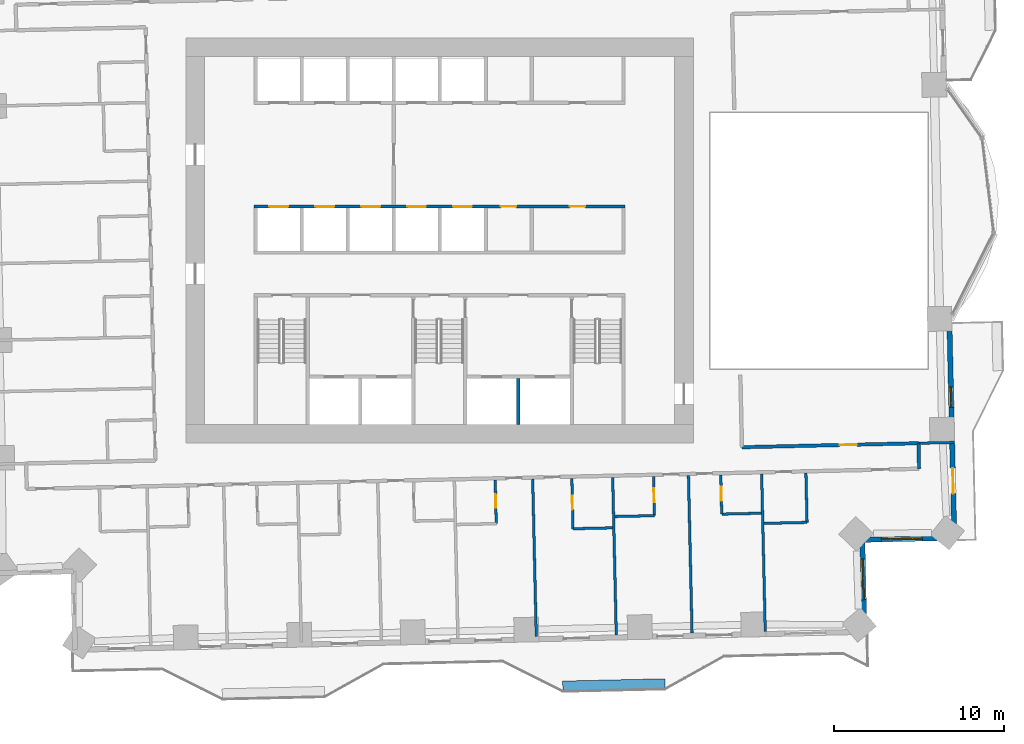
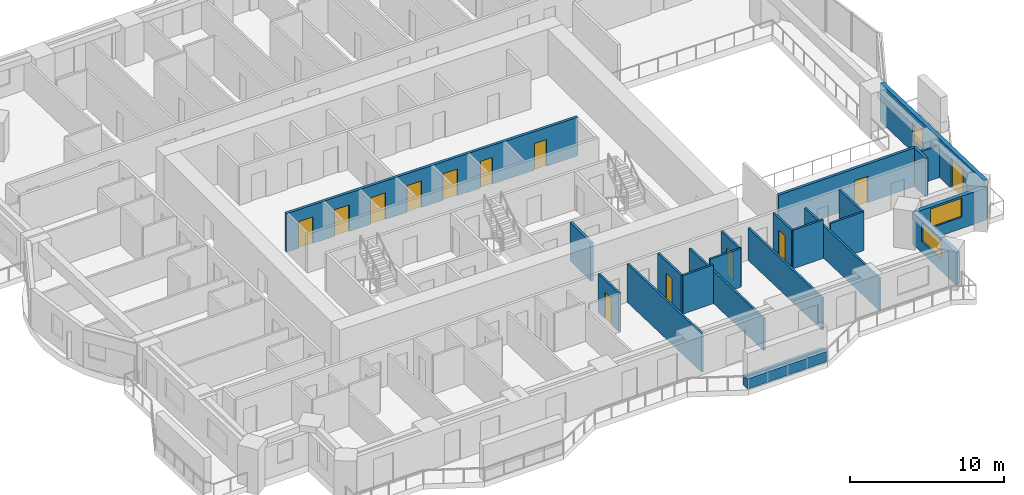
# One storey, part 9 of 17: 22 walls, 13 doors, 3 windows, 16 openings.
"""IFC4 building model written with IfcOpenShell, lengths in metres."""

from ifc_helpers import new_model, si_unit, direction, frame, frame_2d, origin, place, context, subcontext, project, spatial, rectangle, extrude, material, layer, layer_set, type_object, element, fill, save


model = new_model("IFC4")

# Units and contexts
model_context = context("Model", 3, precision=1e-05, world=origin(), true_north=direction((0.0, 1.0)))
body_context = subcontext(model_context, "Body", "Model", "MODEL_VIEW")
ifc_project = project(units=[si_unit("LENGTHUNIT", "METRE"), si_unit("AREAUNIT", "SQUARE_METRE"), si_unit("VOLUMEUNIT", "CUBIC_METRE"), si_unit("PLANEANGLEUNIT", "RADIAN"), si_unit("MASSUNIT", "GRAM", prefix="KILO")], contexts=[model_context])

# Site, building, storey
site_placement = place(None, origin())
site = spatial("IfcSite", under=ifc_project, at=site_placement, CompositionType="ELEMENT")
building_placement = place(site_placement, origin())
building = spatial("IfcBuilding", under=site, at=building_placement, Name="Mangrove Gate Tower", CompositionType="ELEMENT")
storey_placement = place(building_placement, frame((0.0, 0.0, 82.89990234375)))
storey = spatial("IfcBuildingStorey", under=building, at=storey_placement, Name="L20", CompositionType="ELEMENT", Elevation=82.89990234375)

# Wall, openings, doors
ifc_material_1 = material(Name="Concrete C70/85", Category="concrete")
ifc_layer_1 = layer(ifc_material_1, 0.199951171875)
ifc_layer_set_1 = layer_set([ifc_layer_1], Name="Core shaft wall 200 C70/85")
wall_type_1 = type_object("IfcWallType", Name="Core shaft wall 200 C70/85", PredefinedType="SHEAR", material=ifc_layer_set_1)
wall_1_placement = place(storey_placement, frame((-10.89990234375, 2.0, 0.0), z_axis=(0.0, 0.0, 1.0), x_axis=(1.0, 0.0, 0.0)))
wall_1 = element("IfcWall", 1, at=wall_1_placement, inside=storey, type_object=wall_type_1, Name="WALL-L20-CORE-7", PredefinedType="SHEAR", context=body_context, shape_type="SweptSolid", body=[
    extrude(rectangle(XDim=21.7998046875, YDim=0.199951171875, at=frame_2d((10.89990234375, 0.0))), origin(), (0.0, 0.0, 1.0), 3.050048828125),
])
opening_1_placement = place(wall_1_placement, frame((0.89990234375, 0.0, 0.0)))
opening_1 = element("IfcOpeningElement", 2, at=opening_1_placement, cuts=wall_1, Name="Opening LD", PredefinedType="OPENING", context=body_context, shape_type="SweptSolid", body=[
    extrude(rectangle(XDim=1.10009765625, YDim=2.10009765625, at=frame_2d((0.550048828125, 1.050048828125))), frame((0.0, 0.10986328125, 0.0), z_axis=(0.0, -1.0, 0.0), x_axis=(1.0, 0.0, 0.0)), (0.0, 0.0, 1.0), 0.219970703125),
])
opening_2_placement = place(wall_1_placement, frame((3.60009765625, 0.0, 0.0)))
opening_2 = element("IfcOpeningElement", 3, at=opening_2_placement, cuts=wall_1, Name="Opening LD", PredefinedType="OPENING", context=body_context, shape_type="SweptSolid", body=[
    extrude(rectangle(XDim=1.10009765625, YDim=2.10009765625, at=frame_2d((0.550048828125, 1.050048828125))), frame((0.0, 0.10986328125, 0.0), z_axis=(0.0, -1.0, 0.0), x_axis=(1.0, 0.0, 0.0)), (0.0, 0.0, 1.0), 0.219970703125),
])
opening_3_placement = place(wall_1_placement, frame((6.300048828125, 0.0, 0.0)))
opening_3 = element("IfcOpeningElement", 4, at=opening_3_placement, cuts=wall_1, Name="Opening LD", PredefinedType="OPENING", context=body_context, shape_type="SweptSolid", body=[
    extrude(rectangle(XDim=1.10009765625, YDim=2.10009765625, at=frame_2d((0.550048828125, 1.050048828125))), frame((0.0, 0.10986328125, 0.0), z_axis=(0.0, -1.0, 0.0), x_axis=(1.0, 0.0, 0.0)), (0.0, 0.0, 1.0), 0.219970703125),
])
opening_4_placement = place(wall_1_placement, frame((9.0, 0.0, 0.0)))
opening_4 = element("IfcOpeningElement", 5, at=opening_4_placement, cuts=wall_1, Name="Opening LD", PredefinedType="OPENING", context=body_context, shape_type="SweptSolid", body=[
    extrude(rectangle(XDim=1.10009765625, YDim=2.10009765625, at=frame_2d((0.550048828125, 1.050048828125))), frame((0.0, 0.10986328125, 0.0), z_axis=(0.0, -1.0, 0.0), x_axis=(1.0, 0.0, 0.0)), (0.0, 0.0, 1.0), 0.219970703125),
])
opening_5_placement = place(wall_1_placement, frame((11.699951171875, 0.0, 0.0)))
opening_5 = element("IfcOpeningElement", 6, at=opening_5_placement, cuts=wall_1, Name="Opening LD", PredefinedType="OPENING", context=body_context, shape_type="SweptSolid", body=[
    extrude(rectangle(XDim=1.10009765625, YDim=2.10009765625, at=frame_2d((0.550048828125, 1.050048828125))), frame((0.0, 0.10986328125, 0.0), z_axis=(0.0, -1.0, 0.0), x_axis=(1.0, 0.0, 0.0)), (0.0, 0.0, 1.0), 0.219970703125),
])
opening_6_placement = place(wall_1_placement, frame((14.5, 0.0, 0.0)))
opening_6 = element("IfcOpeningElement", 7, at=opening_6_placement, cuts=wall_1, Name="Opening KD", PredefinedType="OPENING", context=body_context, shape_type="SweptSolid", body=[
    extrude(rectangle(XDim=0.89990234375, YDim=2.10009765625, at=frame_2d((0.449951171875, 1.050048828125))), frame((0.0, 0.10986328125, 0.0), z_axis=(0.0, -1.0, 0.0), x_axis=(1.0, 0.0, 0.0)), (0.0, 0.0, 1.0), 0.219970703125),
])
opening_7_placement = place(wall_1_placement, frame((18.550048828125, 0.0, 0.0)))
opening_7 = element("IfcOpeningElement", 8, at=opening_7_placement, cuts=wall_1, Name="Opening RD", PredefinedType="OPENING", context=body_context, shape_type="SweptSolid", body=[
    extrude(rectangle(XDim=0.89990234375, YDim=2.10009765625, at=frame_2d((0.449951171875, 1.050048828125))), frame((0.0, 0.10986328125, 0.0), z_axis=(0.0, -1.0, 0.0), x_axis=(1.0, 0.0, 0.0)), (0.0, 0.0, 1.0), 0.219970703125),
])
ifc_material_2 = material(Name="Fire-rated steel door set", Category="steel")
door_type_1 = type_object("IfcDoorType", Name="Core room door FD30S 900x2100", OperationType="SINGLE_SWING_RIGHT", PredefinedType="DOOR", material=ifc_material_2)
door_1_placement = place(opening_6_placement, origin())
door_1 = element("IfcDoor", 9, at=door_1_placement, inside=storey, type_object=door_type_1, Name="Core room door Refuse store", OperationType="SINGLE_SWING_RIGHT", OverallHeight=2.10009765625, OverallWidth=0.89990234375, PredefinedType="DOOR", context=body_context, shape_type="SweptSolid", body=[
    extrude(rectangle(XDim=0.89990234375, YDim=2.10009765625, at=frame_2d((0.449951171875, 1.050048828125))), frame((0.0, 0.02490234375, 0.0), z_axis=(0.0, -1.0, 0.0), x_axis=(1.0, 0.0, 0.0)), (0.0, 0.0, 1.0), 0.050048828125),
])
fill(opening_6, door_1)
ifc_material_3 = material(Name="Stainless steel 316", Category="steel")
door_type_2 = type_object("IfcDoorType", Name="Lift landing door 1100x2100", OperationType="SLIDING_TO_LEFT", PredefinedType="DOOR", material=ifc_material_3)
door_2_placement = place(opening_1_placement, origin())
door_2 = element("IfcDoor", 10, at=door_2_placement, inside=storey, type_object=door_type_2, Name="Landing door LD P01", OperationType="SLIDING_TO_LEFT", OverallHeight=2.10009765625, OverallWidth=1.10009765625, PredefinedType="DOOR", context=body_context, shape_type="SweptSolid", body=[
    extrude(rectangle(XDim=1.10009765625, YDim=2.10009765625, at=frame_2d((0.550048828125, 1.050048828125))), frame((0.0, 0.02490234375, 0.0), z_axis=(0.0, -1.0, 0.0), x_axis=(1.0, 0.0, 0.0)), (0.0, 0.0, 1.0), 0.050048828125),
])
fill(opening_1, door_2)
door_3_placement = place(opening_2_placement, origin())
door_3 = element("IfcDoor", 11, at=door_3_placement, inside=storey, type_object=door_type_2, Name="Landing door LD P02", OperationType="SLIDING_TO_LEFT", OverallHeight=2.10009765625, OverallWidth=1.10009765625, PredefinedType="DOOR", context=body_context, shape_type="SweptSolid", body=[
    extrude(rectangle(XDim=1.10009765625, YDim=2.10009765625, at=frame_2d((0.550048828125, 1.050048828125))), frame((0.0, 0.02490234375, 0.0), z_axis=(0.0, -1.0, 0.0), x_axis=(1.0, 0.0, 0.0)), (0.0, 0.0, 1.0), 0.050048828125),
])
fill(opening_2, door_3)
door_4_placement = place(opening_3_placement, origin())
door_4 = element("IfcDoor", 12, at=door_4_placement, inside=storey, type_object=door_type_2, Name="Landing door LD P03", OperationType="SLIDING_TO_LEFT", OverallHeight=2.10009765625, OverallWidth=1.10009765625, PredefinedType="DOOR", context=body_context, shape_type="SweptSolid", body=[
    extrude(rectangle(XDim=1.10009765625, YDim=2.10009765625, at=frame_2d((0.550048828125, 1.050048828125))), frame((0.0, 0.02490234375, 0.0), z_axis=(0.0, -1.0, 0.0), x_axis=(1.0, 0.0, 0.0)), (0.0, 0.0, 1.0), 0.050048828125),
])
fill(opening_3, door_4)
door_5_placement = place(opening_4_placement, origin())
door_5 = element("IfcDoor", 13, at=door_5_placement, inside=storey, type_object=door_type_2, Name="Landing door LD P04", OperationType="SLIDING_TO_LEFT", OverallHeight=2.10009765625, OverallWidth=1.10009765625, PredefinedType="DOOR", context=body_context, shape_type="SweptSolid", body=[
    extrude(rectangle(XDim=1.10009765625, YDim=2.10009765625, at=frame_2d((0.550048828125, 1.050048828125))), frame((0.0, 0.02490234375, 0.0), z_axis=(0.0, -1.0, 0.0), x_axis=(1.0, 0.0, 0.0)), (0.0, 0.0, 1.0), 0.050048828125),
])
fill(opening_4, door_5)
door_6_placement = place(opening_5_placement, origin())
door_6 = element("IfcDoor", 14, at=door_6_placement, inside=storey, type_object=door_type_2, Name="Landing door LD P05", OperationType="SLIDING_TO_LEFT", OverallHeight=2.10009765625, OverallWidth=1.10009765625, PredefinedType="DOOR", context=body_context, shape_type="SweptSolid", body=[
    extrude(rectangle(XDim=1.10009765625, YDim=2.10009765625, at=frame_2d((0.550048828125, 1.050048828125))), frame((0.0, 0.02490234375, 0.0), z_axis=(0.0, -1.0, 0.0), x_axis=(1.0, 0.0, 0.0)), (0.0, 0.0, 1.0), 0.050048828125),
])
fill(opening_5, door_6)
ifc_material_4 = material(Name="Fire-rated steel door set", Category="steel")
door_type_3 = type_object("IfcDoorType", Name="Riser door FD30S 900x2100", OperationType="SINGLE_SWING_LEFT", PredefinedType="DOOR", material=ifc_material_4)
door_7_placement = place(opening_7_placement, origin())
door_7 = element("IfcDoor", 15, at=door_7_placement, inside=storey, type_object=door_type_3, Name="Riser door Electrical room", OperationType="SINGLE_SWING_LEFT", OverallHeight=2.10009765625, OverallWidth=0.89990234375, PredefinedType="DOOR", context=body_context, shape_type="SweptSolid", body=[
    extrude(rectangle(XDim=0.89990234375, YDim=2.10009765625, at=frame_2d((0.449951171875, 1.050048828125))), frame((0.0, 0.02490234375, 0.0), z_axis=(0.0, -1.0, 0.0), x_axis=(1.0, 0.0, 0.0)), (0.0, 0.0, 1.0), 0.050048828125),
])
fill(opening_7, door_7)

# Walls
wall_2_placement = place(storey_placement, frame((4.625, -10.800048828125, 0.0), z_axis=(0.0, 0.0, 1.0), x_axis=(0.0, 1.0, 0.0)))
element("IfcWall", 16, at=wall_2_placement, inside=storey, type_object=wall_type_1, Name="WALL-L20-CORE-18", PredefinedType="SHEAR", context=body_context, shape_type="SweptSolid", body=[
    extrude(rectangle(XDim=2.699951171875, YDim=0.199951171875, at=frame_2d((1.35009765625, 0.0))), origin(), (0.0, 0.0, 1.0), 3.050048828125),
])
ifc_material_5 = material(Name="Gypsum board on steel stud, EI 60", Category="steel")
ifc_layer_2 = layer(ifc_material_5, 0.199951171875)
ifc_layer_set_2 = layer_set([ifc_layer_2], Name="Corridor wall EI 60")
wall_type_2 = type_object("IfcWallType", Name="Corridor wall EI 60", PredefinedType="PARTITIONING", material=ifc_layer_set_2)
wall_3_placement = place(storey_placement, frame((28.157958984375, -13.40087890625, 0.0), z_axis=(0.0, 0.0, 1.0), x_axis=(-0.022636322434, 0.999743765625, 0.0)))
element("IfcWall", 17, at=wall_3_placement, inside=storey, type_object=wall_type_2, Name="WALL-L20-032", PredefinedType="PARTITIONING", context=body_context, shape_type="SweptSolid", body=[
    extrude(rectangle(XDim=1.499267578125, YDim=0.199951171875, at=frame_2d((0.74951171875, 0.0))), origin(), (0.0, 0.0, 1.0), 3.050048828125),
])

# Wall, opening, door
wall_4_placement = place(storey_placement, frame((17.7529296875, -12.136962890625, 0.0), z_axis=(0.0, 0.0, 1.0), x_axis=(0.999743727281, 0.022638015856, 0.0)))
wall_4 = element("IfcWall", 18, at=wall_4_placement, inside=storey, type_object=wall_type_2, Name="WALL-L20-037", PredefinedType="PARTITIONING", context=body_context, shape_type="SweptSolid", body=[
    extrude(rectangle(XDim=10.374755859375, YDim=0.199951171875, at=frame_2d((5.1875, 0.0))), origin(), (0.0, 0.0, 1.0), 3.050048828125),
])
opening_8_placement = place(wall_4_placement, frame((5.75, 0.0, 0.0)))
opening_8 = element("IfcOpeningElement", 19, at=opening_8_placement, cuts=wall_4, Name="Opening AD", PredefinedType="OPENING", context=body_context, shape_type="SweptSolid", body=[
    extrude(rectangle(XDim=1.0, YDim=2.10009765625, at=frame_2d((0.5, 1.050048828125))), frame((0.0, 0.10986328125, 0.0), z_axis=(0.0, -1.0, 0.0), x_axis=(1.0, 0.0, 0.0)), (0.0, 0.0, 1.0), 0.219970703125),
])
ifc_material_6 = material(Name="Timber door leaf", Category="wood")
door_type_4 = type_object("IfcDoorType", Name="Amenity door 1000", OperationType="SINGLE_SWING_LEFT", PredefinedType="DOOR", material=ifc_material_6)
door_8_placement = place(opening_8_placement, origin())
door_8 = element("IfcDoor", 20, at=door_8_placement, inside=storey, type_object=door_type_4, Name="DOOR-L20-GAM-c3b", OperationType="SINGLE_SWING_LEFT", OverallHeight=2.10009765625, OverallWidth=1.0, PredefinedType="DOOR", context=body_context, shape_type="SweptSolid", body=[
    extrude(rectangle(XDim=1.0, YDim=2.10009765625, at=frame_2d((0.5, 1.050048828125))), frame((0.0, 0.02490234375, 0.0), z_axis=(0.0, -1.0, 0.0), x_axis=(1.0, 0.0, 0.0)), (0.0, 0.0, 1.0), 0.050048828125),
])
fill(opening_8, door_8)

# Wall, openings, door, window
ifc_material_7 = material(Name="Limestone", Category="masonry")
ifc_layer_3 = layer(ifc_material_7, 0.0400390625, Name="Limestone cladding")
ifc_material_8 = material(Name="Ventilated air gap")
ifc_layer_4 = layer(ifc_material_8, 0.0400390625, Name="Ventilated cavity")
ifc_material_9 = material(Name="Mineral wool insulation")
ifc_layer_5 = layer(ifc_material_9, 0.06005859375, Name="Insulation")
ifc_material_10 = material(Name="Breather membrane")
ifc_layer_6 = layer(ifc_material_10, 0.001953125, Name="Breather membrane")
ifc_material_11 = material(Name="Concrete C20/25 blockwork", Category="masonry")
ifc_layer_7 = layer(ifc_material_11, 0.14990234375, Name="Blockwork backing wall")
ifc_material_12 = material(Name="Gypsum plaster")
ifc_layer_8 = layer(ifc_material_12, 0.008056640625, Name="Internal plaster")
ifc_layer_set_3 = layer_set([ifc_layer_3, ifc_layer_4, ifc_layer_5, ifc_layer_6, ifc_layer_7, ifc_layer_8], Name="External wall 300 limestone cladding")
wall_type_3 = type_object("IfcWallType", Name="External wall 300 limestone cladding", PredefinedType="SOLIDWALL", material=ifc_layer_set_3)
wall_5_placement = place(storey_placement, frame((30.22705078125, -17.455078125, 0.0), z_axis=(0.0, 0.0, 1.0), x_axis=(-0.022734702163, 0.999741533256, 0.0)))
wall_5 = element("IfcWall", 21, at=wall_5_placement, inside=storey, type_object=wall_type_3, Name="WALL-L20-E0", PredefinedType="SOLIDWALL", context=body_context, shape_type="SweptSolid", body=[
    extrude(rectangle(XDim=12.929443359375, YDim=0.300048828125, at=frame_2d((6.46484375, 0.0))), origin(), (0.0, 0.0, 1.0), 3.050048828125),
])
opening_9_placement = place(wall_5_placement, frame((2.592041015625, 0.0, 0.0)))
opening_9 = element("IfcOpeningElement", 22, at=opening_9_placement, cuts=wall_5, Name="Opening BD1", PredefinedType="OPENING", context=body_context, shape_type="SweptSolid", body=[
    extrude(rectangle(XDim=1.5, YDim=2.39990234375, at=frame_2d((0.75, 1.199951171875))), frame((0.0, 0.159912109375, 0.0), z_axis=(0.0, -1.0, 0.0), x_axis=(1.0, 0.0, 0.0)), (0.0, 0.0, 1.0), 0.320068359375),
])
opening_10_placement = place(wall_5_placement, frame((7.658935546875, 0.0, 0.89990234375)))
opening_10 = element("IfcOpeningElement", 23, at=opening_10_placement, cuts=wall_5, Name="Opening W1", PredefinedType="OPENING", context=body_context, shape_type="SweptSolid", body=[
    extrude(rectangle(XDim=1.199951171875, YDim=1.5, at=frame_2d((0.60009765625, 0.75))), frame((0.0, 0.159912109375, 0.0), z_axis=(0.0, -1.0, 0.0), x_axis=(1.0, 0.0, 0.0)), (0.0, 0.0, 1.0), 0.320068359375),
])
ifc_material_13 = material(Name="Aluminium frame with laminated clear glass", Category="aluminium")
door_type_5 = type_object("IfcDoorType", Name="Balcony sliding door 1500x2400", OperationType="SLIDING_TO_LEFT", PredefinedType="DOOR", material=ifc_material_13)
door_9_placement = place(opening_9_placement, origin())
door_9 = element("IfcDoor", 24, at=door_9_placement, inside=storey, type_object=door_type_5, Name="DOOR-L20-E0-1", OperationType="SLIDING_TO_LEFT", OverallHeight=2.39990234375, OverallWidth=1.5, PredefinedType="DOOR", context=body_context, shape_type="SweptSolid", body=[
    extrude(rectangle(XDim=1.5, YDim=2.39990234375, at=frame_2d((0.75, 1.199951171875))), frame((0.0, 0.02490234375, 0.0), z_axis=(0.0, -1.0, 0.0), x_axis=(1.0, 0.0, 0.0)), (0.0, 0.0, 1.0), 0.050048828125),
])
fill(opening_9, door_9)
ifc_material_14 = material(Name="Aluminium frame with double-glazed low-e glass", Category="aluminium")
window_type_1 = type_object("IfcWindowType", Name="Side lite 1200x1500", PartitioningType="SINGLE_PANEL", PredefinedType="WINDOW", material=ifc_material_14)
window_1_placement = place(opening_10_placement, origin())
window_1 = element("IfcWindow", 25, at=window_1_placement, inside=storey, type_object=window_type_1, Name="WIN-L20-E0-2", OverallHeight=1.5, OverallWidth=1.199951171875, PartitioningType="SINGLE_PANEL", PredefinedType="WINDOW", context=body_context, shape_type="SweptSolid", body=[
    extrude(rectangle(XDim=1.199951171875, YDim=1.5, at=frame_2d((0.60009765625, 0.75))), frame((0.0, 0.030029296875, 0.0), z_axis=(0.0, -1.0, 0.0), x_axis=(1.0, 0.0, 0.0)), (0.0, 0.0, 1.0), 0.06005859375),
])
fill(opening_10, window_1)

# Wall, opening, window
wall_6_placement = place(storey_placement, frame((24.950927734375, -22.97705078125, 0.0), z_axis=(0.0, 0.0, 1.0), x_axis=(-0.022784045517, 0.999740409941, 0.0)))
wall_6 = element("IfcWall", 26, at=wall_6_placement, inside=storey, type_object=wall_type_3, Name="WALL-L20-E14", PredefinedType="SOLIDWALL", context=body_context, shape_type="SweptSolid", body=[
    extrude(rectangle(XDim=5.400634765625, YDim=0.300048828125, at=frame_2d((2.7001953125, 0.0))), origin(), (0.0, 0.0, 1.0), 2.550048828125),
])
opening_11_placement = place(wall_6_placement, frame((1.885009765625, 0.0, 0.89990234375)))
opening_11 = element("IfcOpeningElement", 27, at=opening_11_placement, cuts=wall_6, Name="Opening W2", PredefinedType="OPENING", context=body_context, shape_type="SweptSolid", body=[
    extrude(rectangle(XDim=2.39990234375, YDim=1.5, at=frame_2d((1.199951171875, 0.75))), frame((0.0, 0.159912109375, 0.0), z_axis=(0.0, -1.0, 0.0), x_axis=(1.0, 0.0, 0.0)), (0.0, 0.0, 1.0), 0.320068359375),
])
ifc_material_15 = material(Name="Aluminium frame with double-glazed low-e glass", Category="aluminium")
window_type_2 = type_object("IfcWindowType", Name="Corner room window 2400x1500", PartitioningType="DOUBLE_PANEL_VERTICAL", PredefinedType="WINDOW", material=ifc_material_15)
window_2_placement = place(opening_11_placement, origin())
window_2 = element("IfcWindow", 28, at=window_2_placement, inside=storey, type_object=window_type_2, Name="WIN-L20-E14-1", OverallHeight=1.5, OverallWidth=2.39990234375, PartitioningType="DOUBLE_PANEL_VERTICAL", PredefinedType="WINDOW", context=body_context, shape_type="SweptSolid", body=[
    extrude(rectangle(XDim=2.39990234375, YDim=1.5, at=frame_2d((1.199951171875, 0.75))), frame((0.0, 0.030029296875, 0.0), z_axis=(0.0, -1.0, 0.0), x_axis=(1.0, 0.0, 0.0)), (0.0, 0.0, 1.0), 0.06005859375),
])
fill(opening_11, window_2)

wall_7_placement = place(storey_placement, frame((24.827880859375, -17.577880859375, 0.0), z_axis=(0.0, 0.0, 1.0), x_axis=(0.99974143864, 0.022738862475, 0.0)))
wall_7 = element("IfcWall", 29, at=wall_7_placement, inside=storey, type_object=wall_type_3, Name="WALL-L20-S15", PredefinedType="SOLIDWALL", context=body_context, shape_type="SweptSolid", body=[
    extrude(rectangle(XDim=5.400634765625, YDim=0.300048828125, at=frame_2d((2.7001953125, 0.0))), origin(), (0.0, 0.0, 1.0), 2.550048828125),
])
opening_12_placement = place(wall_7_placement, frame((1.116943359375, 0.0, 0.89990234375)))
opening_12 = element("IfcOpeningElement", 30, at=opening_12_placement, cuts=wall_7, Name="Opening W2", PredefinedType="OPENING", context=body_context, shape_type="SweptSolid", body=[
    extrude(rectangle(XDim=2.39990234375, YDim=1.5, at=frame_2d((1.199951171875, 0.75))), frame((0.0, 0.159912109375, 0.0), z_axis=(0.0, -1.0, 0.0), x_axis=(1.0, 0.0, 0.0)), (0.0, 0.0, 1.0), 0.320068359375),
])
window_3_placement = place(opening_12_placement, origin())
window_3 = element("IfcWindow", 31, at=window_3_placement, inside=storey, type_object=window_type_2, Name="WIN-L20-S15-1", OverallHeight=1.5, OverallWidth=2.39990234375, PartitioningType="DOUBLE_PANEL_VERTICAL", PredefinedType="WINDOW", context=body_context, shape_type="SweptSolid", body=[
    extrude(rectangle(XDim=2.39990234375, YDim=1.5, at=frame_2d((1.199951171875, 0.75))), frame((0.0, 0.030029296875, 0.0), z_axis=(0.0, -1.0, 0.0), x_axis=(1.0, 0.0, 0.0)), (0.0, 0.0, 1.0), 0.06005859375),
])
fill(opening_12, window_3)

# Walls
ifc_material_16 = material(Name="Gypsum board on steel stud, EI 60", Category="steel")
ifc_layer_9 = layer(ifc_material_16, 0.14990234375)
ifc_layer_set_4 = layer_set([ifc_layer_9], Name="Party wall 150 EI 60")
wall_type_4 = type_object("IfcWallType", Name="Party wall 150 EI 60", PredefinedType="PARTITIONING", material=ifc_layer_set_4)
wall_8_placement = place(storey_placement, frame((5.676025390625, -23.263916015625, 0.0), z_axis=(0.0, 0.0, 1.0), x_axis=(-0.022698023584, 0.999742366675, 0.0)))
element("IfcWall", 32, at=wall_8_placement, inside=storey, type_object=wall_type_4, Name="WALL-L20-006", PredefinedType="PARTITIONING", context=body_context, shape_type="SweptSolid", body=[
    extrude(rectangle(XDim=9.250244140625, YDim=0.14990234375, at=frame_2d((4.625, 0.0))), origin(), (0.0, 0.0, 1.0), 3.050048828125),
])
wall_9_placement = place(storey_placement, frame((10.375, -23.157958984375, 0.0), z_axis=(0.0, 0.0, 1.0), x_axis=(-0.022697424684, 0.999742380272, 0.0)))
element("IfcWall", 33, at=wall_9_placement, inside=storey, type_object=wall_type_4, Name="WALL-L20-007", PredefinedType="PARTITIONING", context=body_context, shape_type="SweptSolid", body=[
    extrude(rectangle(XDim=9.25048828125, YDim=0.14990234375, at=frame_2d((4.625244140625, 0.0))), origin(), (0.0, 0.0, 1.0), 2.550048828125),
])
wall_10_placement = place(storey_placement, frame((14.823974609375, -23.056884765625, 0.0), z_axis=(0.0, 0.0, 1.0), x_axis=(-0.022698023584, 0.999742366675, 0.0)))
element("IfcWall", 34, at=wall_10_placement, inside=storey, type_object=wall_type_4, Name="WALL-L20-008", PredefinedType="PARTITIONING", context=body_context, shape_type="SweptSolid", body=[
    extrude(rectangle(XDim=9.250244140625, YDim=0.14990234375, at=frame_2d((4.625, 0.0))), origin(), (0.0, 0.0, 1.0), 2.550048828125),
])
wall_11_placement = place(storey_placement, frame((19.123046875, -22.958984375, 0.0), z_axis=(0.0, 0.0, 1.0), x_axis=(-0.022697424684, 0.999742380272, 0.0)))
element("IfcWall", 35, at=wall_11_placement, inside=storey, type_object=wall_type_4, Name="WALL-L20-009", PredefinedType="PARTITIONING", context=body_context, shape_type="SweptSolid", body=[
    extrude(rectangle(XDim=9.25048828125, YDim=0.14990234375, at=frame_2d((4.625244140625, 0.0))), origin(), (0.0, 0.0, 1.0), 2.550048828125),
])

# Wall, opening, door
wall_12_placement = place(storey_placement, frame((7.8330078125, -16.923095703125, 0.0), z_axis=(0.0, 0.0, 1.0), x_axis=(-0.022601485787, 0.999744553794, 0.0)))
wall_12 = element("IfcWall", 36, at=wall_12_placement, inside=storey, type_object=wall_type_4, Name="WALL-L20-012", PredefinedType="PARTITIONING", context=body_context, shape_type="SweptSolid", body=[
    extrude(rectangle(XDim=2.959716796875, YDim=0.14990234375, at=frame_2d((1.47998046875, 0.0))), origin(), (0.0, 0.0, 1.0), 3.050048828125),
])
opening_13_placement = place(wall_12_placement, frame((1.1298828125, 0.0, 0.0)))
opening_13 = element("IfcOpeningElement", 37, at=opening_13_placement, cuts=wall_12, Name="Opening ED", PredefinedType="OPENING", context=body_context, shape_type="SweptSolid", body=[
    extrude(rectangle(XDim=0.800048828125, YDim=2.10009765625, at=frame_2d((0.39990234375, 1.050048828125))), frame((0.0, 0.0849609375, 0.0), z_axis=(0.0, -1.0, 0.0), x_axis=(1.0, 0.0, 0.0)), (0.0, 0.0, 1.0), 0.169921875),
])
ifc_material_17 = material(Name="Timber door leaf", Category="wood")
door_type_6 = type_object("IfcDoorType", Name="En-suite door 800", OperationType="SINGLE_SWING_LEFT", PredefinedType="DOOR", material=ifc_material_17)
door_10_placement = place(opening_13_placement, origin())
door_10 = element("IfcDoor", 38, at=door_10_placement, inside=storey, type_object=door_type_6, Name="DOOR-L20-ENS-c206", OperationType="SINGLE_SWING_RIGHT", OverallHeight=2.10009765625, OverallWidth=0.800048828125, PredefinedType="DOOR", context=body_context, shape_type="SweptSolid", body=[
    extrude(rectangle(XDim=0.800048828125, YDim=2.10009765625, at=frame_2d((0.39990234375, 1.050048828125))), frame((0.0, 0.02490234375, 0.0), z_axis=(0.0, -1.0, 0.0), x_axis=(1.0, 0.0, 0.0)), (0.0, 0.0, 1.0), 0.050048828125),
])
fill(opening_13, door_10)

# Walls
wall_13_placement = place(storey_placement, frame((7.8369140625, -16.923095703125, 0.0), z_axis=(0.0, 0.0, 1.0), x_axis=(0.999749744571, 0.022370700241, 0.0)))
element("IfcWall", 39, at=wall_13_placement, inside=storey, type_object=wall_type_4, Name="WALL-L20-013", PredefinedType="PARTITIONING", context=body_context, shape_type="SweptSolid", body=[
    extrude(rectangle(XDim=2.324462890625, YDim=0.14990234375, at=frame_2d((1.162109375, 0.0))), origin(), (0.0, 0.0, 1.0), 3.050048828125),
])
wall_14_placement = place(storey_placement, frame((19.05810546875, -16.60888671875, 0.0), z_axis=(0.0, 0.0, 1.0), x_axis=(0.999737322729, 0.022919108675, 0.0)))
element("IfcWall", 40, at=wall_14_placement, inside=storey, type_object=wall_type_4, Name="WALL-L20-014", PredefinedType="PARTITIONING", context=body_context, shape_type="SweptSolid", body=[
    extrude(rectangle(XDim=2.524658203125, YDim=0.14990234375, at=frame_2d((1.26220703125, 0.0))), origin(), (0.0, 0.0, 1.0), 3.050048828125),
])
wall_15_placement = place(storey_placement, frame((21.577880859375, -16.551025390625, 0.0), z_axis=(0.0, 0.0, 1.0), x_axis=(-0.022732880677, 0.999741574676, 0.0)))
element("IfcWall", 41, at=wall_15_placement, inside=storey, type_object=wall_type_4, Name="WALL-L20-015", PredefinedType="PARTITIONING", context=body_context, shape_type="SweptSolid", body=[
    extrude(rectangle(XDim=2.899658203125, YDim=0.14990234375, at=frame_2d((1.44970703125, 0.0))), origin(), (0.0, 0.0, 1.0), 3.050048828125),
])

# Wall, opening, door
wall_16_placement = place(storey_placement, frame((3.324951171875, -16.6259765625, 0.0), z_axis=(0.0, 0.0, 1.0), x_axis=(-0.022595793415, 0.999744682466, 0.0)))
wall_16 = element("IfcWall", 42, at=wall_16_placement, inside=storey, type_object=wall_type_4, Name="WALL-L20-017", PredefinedType="PARTITIONING", context=body_context, shape_type="SweptSolid", body=[
    extrude(rectangle(XDim=2.560791015625, YDim=0.14990234375, at=frame_2d((1.2802734375, 0.0))), origin(), (0.0, 0.0, 1.0), 3.050048828125),
])
opening_14_placement = place(wall_16_placement, frame((0.929931640625, 0.0, 0.0)))
opening_14 = element("IfcOpeningElement", 43, at=opening_14_placement, cuts=wall_16, Name="Opening ED", PredefinedType="OPENING", context=body_context, shape_type="SweptSolid", body=[
    extrude(rectangle(XDim=0.800048828125, YDim=2.10009765625, at=frame_2d((0.39990234375, 1.050048828125))), frame((0.0, 0.0849609375, 0.0), z_axis=(0.0, -1.0, 0.0), x_axis=(1.0, 0.0, 0.0)), (0.0, 0.0, 1.0), 0.169921875),
])
door_11_placement = place(opening_14_placement, origin())
door_11 = element("IfcDoor", 44, at=door_11_placement, inside=storey, type_object=door_type_6, Name="DOOR-L20-ENS-c205", OperationType="SINGLE_SWING_LEFT", OverallHeight=2.10009765625, OverallWidth=0.800048828125, PredefinedType="DOOR", context=body_context, shape_type="SweptSolid", body=[
    extrude(rectangle(XDim=0.800048828125, YDim=2.10009765625, at=frame_2d((0.39990234375, 1.050048828125))), frame((0.0, 0.02490234375, 0.0), z_axis=(0.0, -1.0, 0.0), x_axis=(1.0, 0.0, 0.0)), (0.0, 0.0, 1.0), 0.050048828125),
])
fill(opening_14, door_11)

# Wall
wall_17_placement = place(storey_placement, frame((10.2958984375, -16.20703125, 0.0), z_axis=(0.0, 0.0, 1.0), x_axis=(0.999750007167, 0.022358961731, 0.0)))
element("IfcWall", 45, at=wall_17_placement, inside=storey, type_object=wall_type_4, Name="WALL-L20-026", PredefinedType="PARTITIONING", context=body_context, shape_type="SweptSolid", body=[
    extrude(rectangle(XDim=2.32568359375, YDim=0.14990234375, at=frame_2d((1.162841796875, 0.0))), origin(), (0.0, 0.0, 1.0), 3.050048828125),
])

# Wall, opening, door
wall_18_placement = place(storey_placement, frame((12.616943359375, -16.155029296875, 0.0), z_axis=(0.0, 0.0, 1.0), x_axis=(-0.022603288534, 0.999744513037, 0.0)))
wall_18 = element("IfcWall", 46, at=wall_18_placement, inside=storey, type_object=wall_type_4, Name="WALL-L20-027", PredefinedType="PARTITIONING", context=body_context, shape_type="SweptSolid", body=[
    extrude(rectangle(XDim=2.300537109375, YDim=0.14990234375, at=frame_2d((1.150390625, 0.0))), origin(), (0.0, 0.0, 1.0), 3.050048828125),
])
opening_15_placement = place(wall_18_placement, frame((0.800048828125, 0.0, 0.0)))
opening_15 = element("IfcOpeningElement", 47, at=opening_15_placement, cuts=wall_18, Name="Opening ED", PredefinedType="OPENING", context=body_context, shape_type="SweptSolid", body=[
    extrude(rectangle(XDim=0.800048828125, YDim=2.10009765625, at=frame_2d((0.39990234375, 1.050048828125))), frame((0.0, 0.0849609375, 0.0), z_axis=(0.0, -1.0, 0.0), x_axis=(1.0, 0.0, 0.0)), (0.0, 0.0, 1.0), 0.169921875),
])
door_12_placement = place(opening_15_placement, origin())
door_12 = element("IfcDoor", 48, at=door_12_placement, inside=storey, type_object=door_type_6, Name="DOOR-L20-ENS-c207", OperationType="SINGLE_SWING_LEFT", OverallHeight=2.10009765625, OverallWidth=0.800048828125, PredefinedType="DOOR", context=body_context, shape_type="SweptSolid", body=[
    extrude(rectangle(XDim=0.800048828125, YDim=2.10009765625, at=frame_2d((0.39990234375, 1.050048828125))), frame((0.0, 0.02490234375, 0.0), z_axis=(0.0, -1.0, 0.0), x_axis=(1.0, 0.0, 0.0)), (0.0, 0.0, 1.0), 0.050048828125),
])
fill(opening_15, door_12)

wall_19_placement = place(storey_placement, frame((16.56591796875, -16.06494140625, 0.0), z_axis=(0.0, 0.0, 1.0), x_axis=(-0.022615284993, 0.999744241736, 0.0)))
wall_19 = element("IfcWall", 49, at=wall_19_placement, inside=storey, type_object=wall_type_4, Name="WALL-L20-028", PredefinedType="PARTITIONING", context=body_context, shape_type="SweptSolid", body=[
    extrude(rectangle(XDim=2.29931640625, YDim=0.14990234375, at=frame_2d((1.149658203125, 0.0))), origin(), (0.0, 0.0, 1.0), 3.050048828125),
])
opening_16_placement = place(wall_19_placement, frame((0.800048828125, 0.0, 0.0)))
opening_16 = element("IfcOpeningElement", 50, at=opening_16_placement, cuts=wall_19, Name="Opening ED", PredefinedType="OPENING", context=body_context, shape_type="SweptSolid", body=[
    extrude(rectangle(XDim=0.800048828125, YDim=2.10009765625, at=frame_2d((0.39990234375, 1.050048828125))), frame((0.0, 0.0849609375, 0.0), z_axis=(0.0, -1.0, 0.0), x_axis=(1.0, 0.0, 0.0)), (0.0, 0.0, 1.0), 0.169921875),
])
door_13_placement = place(opening_16_placement, origin())
door_13 = element("IfcDoor", 51, at=door_13_placement, inside=storey, type_object=door_type_6, Name="DOOR-L20-ENS-c308", OperationType="SINGLE_SWING_RIGHT", OverallHeight=2.10009765625, OverallWidth=0.800048828125, PredefinedType="DOOR", context=body_context, shape_type="SweptSolid", body=[
    extrude(rectangle(XDim=0.800048828125, YDim=2.10009765625, at=frame_2d((0.39990234375, 1.050048828125))), frame((0.0, 0.02490234375, 0.0), z_axis=(0.0, -1.0, 0.0), x_axis=(1.0, 0.0, 0.0)), (0.0, 0.0, 1.0), 0.050048828125),
])
fill(opening_16, door_13)

# Walls
wall_20_placement = place(storey_placement, frame((16.570068359375, -16.06494140625, 0.0), z_axis=(0.0, 0.0, 1.0), x_axis=(0.999740260747, 0.02279059109, 0.0)))
element("IfcWall", 52, at=wall_20_placement, inside=storey, type_object=wall_type_4, Name="WALL-L20-029", PredefinedType="PARTITIONING", context=body_context, shape_type="SweptSolid", body=[
    extrude(rectangle(XDim=2.324462890625, YDim=0.14990234375, at=frame_2d((1.162109375, 0.0))), origin(), (0.0, 0.0, 1.0), 3.050048828125),
])
wall_21_placement = place(storey_placement, frame((28.12109375, -11.902099609375, 0.0), z_axis=(0.0, 0.0, 1.0), x_axis=(0.999734443994, 0.023044337528, 0.0)))
element("IfcWall", 53, at=wall_21_placement, inside=storey, type_object=wall_type_4, Name="WALL-L20-039", PredefinedType="PARTITIONING", context=body_context, shape_type="SweptSolid", body=[
    extrude(rectangle(XDim=2.12939453125, YDim=0.14990234375, at=frame_2d((1.064697265625, 0.0))), origin(), (0.0, 0.0, 1.0), 2.550048828125),
])
ifc_material_18 = material(Name="Concrete C32/40", Category="concrete")
ifc_layer_10 = layer(ifc_material_18, 0.199951171875, Name="Planter trough wall")
ifc_material_19 = material(Name="Bituminous waterproofing membrane")
ifc_layer_11 = layer(ifc_material_19, 0.0048828125, Name="Waterproofing")
ifc_material_20 = material(Name="Drainage board and gravel")
ifc_layer_12 = layer(ifc_material_20, 0.044921875, Name="Drainage layer")
ifc_material_21 = material(Name="Planting soil")
ifc_layer_13 = layer(ifc_material_21, 0.300048828125, Name="Growing medium")
ifc_layer_set_5 = layer_set([ifc_layer_10, ifc_layer_11, ifc_layer_12, ifc_layer_13], Name="Planter wall 550 C32/40")
wall_type_5 = type_object("IfcWallType", Name="Planter wall 550 C32/40", PredefinedType="USERDEFINED", material=ifc_layer_set_5)
wall_22_placement = place(storey_placement, frame((7.23193359375, -26.14404296875, 0.0), z_axis=(0.0, 0.0, 1.0), x_axis=(0.999743178102, 0.022662255828, 0.0)))
element("IfcWall", 54, at=wall_22_placement, inside=storey, type_object=wall_type_5, Name="PLANTER L20 S1.1", ObjectType="PLANTER", PredefinedType="USERDEFINED", context=body_context, shape_type="SweptSolid", body=[
    extrude(rectangle(XDim=6.00048828125, YDim=0.550048828125, at=frame_2d((3.000244140625, 0.0))), origin(), (0.0, 0.0, 1.0), 0.800048828125),
])

save(model, "model.ifc")
